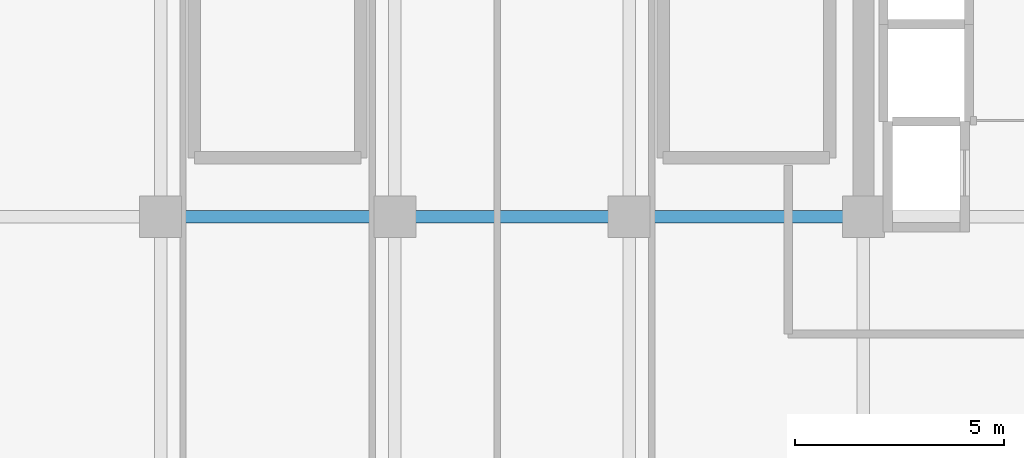
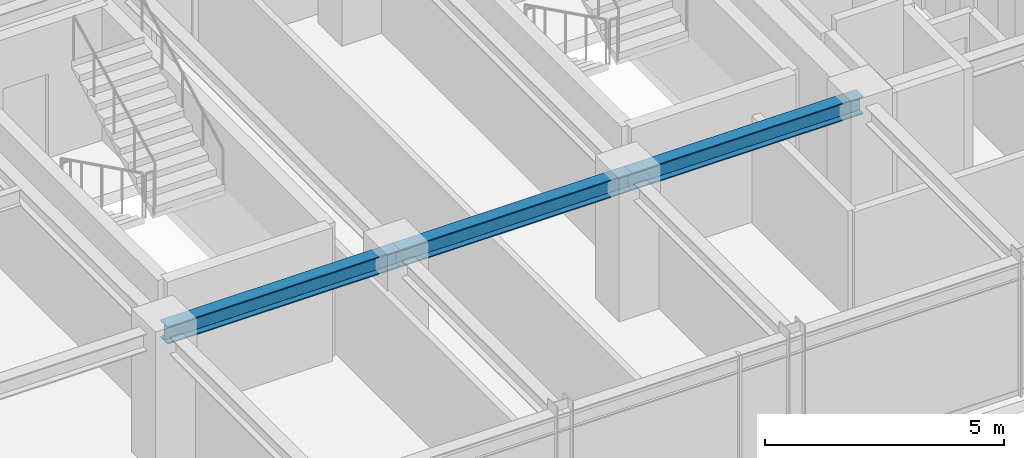
# One storey, part 7 of 34: 3 beams.
"""IFC4 building model written with IfcOpenShell, lengths in metres."""

from ifc_helpers import new_model, si_unit, direction, frame, origin, origin_2d, place, context, subcontext, project, spatial, i_section, extrude, source, transform, mapped, material, material_profile, profile_set, type_object, element, save


model = new_model("IFC4")

# Units and contexts
model_context = context("Model", 3, precision=1e-05, world=origin(), true_north=direction((0.0, 1.0)))
body_context = subcontext(model_context, "Body", "Model", "MODEL_VIEW")
ifc_project = project(units=[si_unit("LENGTHUNIT", "METRE"), si_unit("AREAUNIT", "SQUARE_METRE"), si_unit("VOLUMEUNIT", "CUBIC_METRE"), si_unit("PLANEANGLEUNIT", "RADIAN"), si_unit("MASSUNIT", "GRAM", prefix="KILO")], contexts=[model_context])

# Site, building, storey
site_placement = place(None, origin())
site = spatial("IfcSite", under=ifc_project, at=site_placement, CompositionType="ELEMENT")
building_placement = place(site_placement, origin())
building = spatial("IfcBuilding", under=site, at=building_placement, Name="Nahalor Promenade Grand Hotel", CompositionType="ELEMENT")
storey_placement = place(building_placement, frame((0.0, 0.0, 238.199951171875)))
storey = spatial("IfcBuildingStorey", under=building, at=storey_placement, Name="L61", CompositionType="ELEMENT", Elevation=238.199951171875)

# Beams
ifc_material = material(Name="Steel S355JR", Category="steel")
ifc_material_profile = material_profile(ifc_material, i_section(OverallWidth=0.3, OverallDepth=0.45, WebThickness=0.014, FlangeThickness=0.026, at=origin_2d()), Name="HEB 450")
ifc_profile_set = profile_set([ifc_material_profile], Name="Steel S355JR")
beam_type = type_object("IfcBeamType", Name="Beam-Girder-HEB450", PredefinedType="BEAM", material=ifc_profile_set)
shared_shape_1 = source(origin(), body_context, "Body", "SweptSolid", [
    extrude(i_section(OverallWidth=0.3, OverallDepth=0.45, WebThickness=0.014, FlangeThickness=0.026, at=origin_2d()), origin(), (0.0, 0.0, 1.0), 5.599853515625),
])
for number, where, z_axis, x_axis, name in (
    (1, (-8.39990234375, -17.0, 3.18505859375), (1.0, 0.0, 0.0), (0.0, 1.0, 0.0), "BM-L61-GX-0-2"),
    (2, (2.800048828125, -17.0, 3.18505859375), (1.0, 0.0, 0.0), (0.0, 1.0, 0.0), "BM-L61-GX-0-4"),
):
    element("IfcBeam", number, at=place(storey_placement, frame(where, z_axis=z_axis, x_axis=x_axis)), inside=storey, type_object=beam_type, Name=name, PredefinedType="BEAM", context=body_context, shape_type="MappedRepresentation", body=[
        mapped(shared_shape_1, transform((0.0, 0.0, 0.0), scale=1.0)),
    ])
shared_shape_2 = source(origin(), body_context, "Body", "SweptSolid", [
    extrude(i_section(OverallWidth=0.3, OverallDepth=0.45, WebThickness=0.014, FlangeThickness=0.026, at=origin_2d()), origin(), (0.0, 0.0, 1.0), 5.60009765625),
])
beam_placement = place(storey_placement, frame((-2.800048828125, -17.0, 3.18505859375), z_axis=(1.0, 0.0, 0.0), x_axis=(0.0, 1.0, 0.0)))
element("IfcBeam", 3, at=beam_placement, inside=storey, type_object=beam_type, Name="BM-L61-GX-0-3", PredefinedType="BEAM", context=body_context, shape_type="MappedRepresentation", body=[
    mapped(shared_shape_2, transform((0.0, 0.0, 0.0), scale=1.0)),
])

save(model, "model.ifc")
